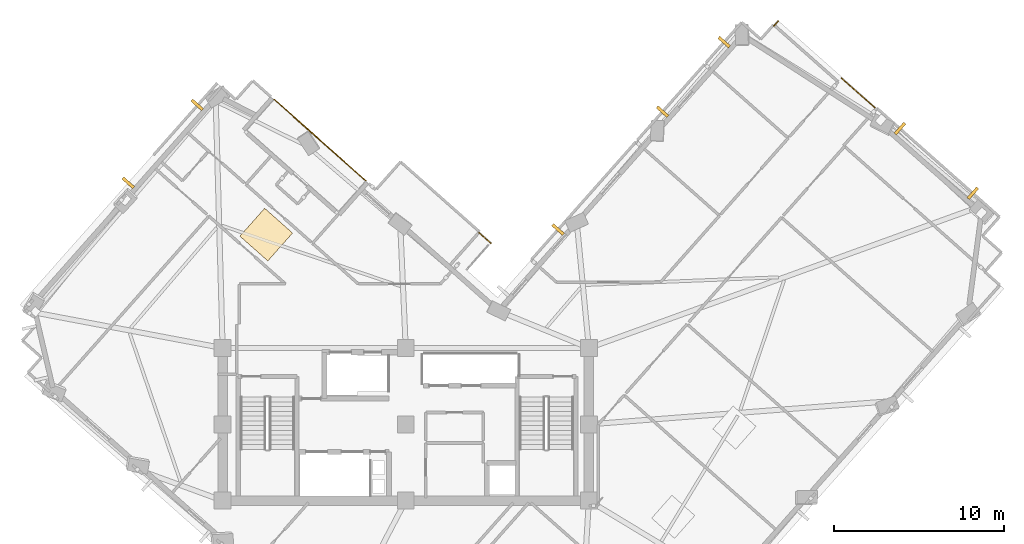
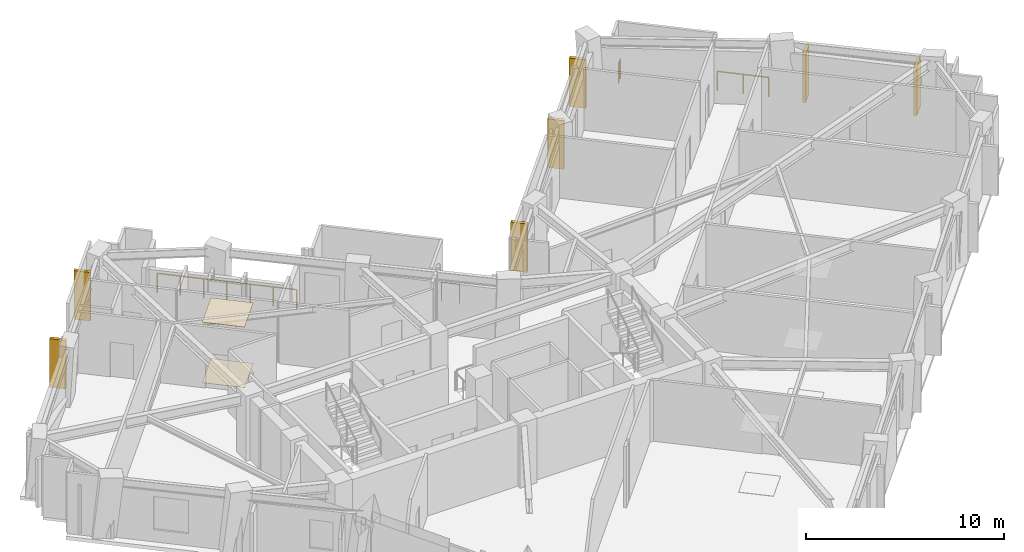
# One storey, part 13 of 13: 7 shading devices, 4 railings, 2 coverings.
"""IFC4 building model written with IfcOpenShell, lengths in metres."""

from ifc_helpers import new_model, si_unit, direction, frame, origin, origin_2d, place, context, subcontext, project, spatial, rectangle, circle, extrude, material, layer, layer_set, type_object, element, save


model = new_model("IFC4")

# Units and contexts
model_context = context("Model", 3, precision=1e-05, world=origin(), true_north=direction((0.0, 1.0)))
body_context = subcontext(model_context, "Body", "Model", "MODEL_VIEW")
ifc_project = project(units=[si_unit("LENGTHUNIT", "METRE"), si_unit("AREAUNIT", "SQUARE_METRE"), si_unit("VOLUMEUNIT", "CUBIC_METRE"), si_unit("PLANEANGLEUNIT", "RADIAN"), si_unit("MASSUNIT", "GRAM", prefix="KILO")], contexts=[model_context])

# Site, building, storey
site_placement = place(None, origin())
site = spatial("IfcSite", under=ifc_project, at=site_placement, CompositionType="ELEMENT")
building_placement = place(site_placement, origin())
building = spatial("IfcBuilding", under=site, at=building_placement, Name="Gaonmaruhae Medical Tower", CompositionType="ELEMENT")
storey_placement = place(building_placement, frame((0.0, 0.0, 231.199951171875)))
storey = spatial("IfcBuildingStorey", under=building, at=storey_placement, Name="L55", CompositionType="ELEMENT", Elevation=231.199951171875)

# Coverings
ifc_material_1 = material(Name="Acoustic mineral ceiling tile", Category="finish")
ifc_layer_1 = layer(ifc_material_1, 0.02490234375)
ifc_layer_set_1 = layer_set([ifc_layer_1], Name="Acoustic mineral ceiling tile")
covering_type_1 = type_object("IfcCoveringType", Name="CLG-01 Antimicrobial Acoustic Mineral Ceiling", PredefinedType="CEILING", material=ifc_layer_set_1)
covering_1_placement = place(storey_placement, frame((16.572021484375, 23.489501953125, 3.735107421875), z_axis=(0.0, 0.0, 1.0), x_axis=(0.66327338299, 0.748377190605, 0.0)))
element("IfcCovering", 1, at=covering_1_placement, inside=storey, type_object=covering_type_1, Name="L55 Clinical Corridor Acoustic Ceiling", PredefinedType="CEILING", context=body_context, shape_type="SweptSolid", body=[
    extrude(rectangle(XDim=2.199951171875, YDim=2.199951171875, at=origin_2d()), origin(), (0.0, 0.0, 1.0), 0.02490234375),
])
ifc_material_2 = material(Name="Seamless clinical vinyl flooring", Category="finish")
ifc_layer_2 = layer(ifc_material_2, 0.014892578125)
ifc_layer_set_2 = layer_set([ifc_layer_2], Name="Seamless clinical vinyl flooring")
covering_type_2 = type_object("IfcCoveringType", Name="FLR-01 Seamless Clinical Antistatic Vinyl Flooring", PredefinedType="FLOORING", material=ifc_layer_set_2)
covering_2_placement = place(storey_placement, frame((16.572021484375, 23.489501953125, 0.00048828125), z_axis=(0.0, 0.0, 1.0), x_axis=(0.66327338299, 0.748377190605, 0.0)))
element("IfcCovering", 2, at=covering_2_placement, inside=storey, type_object=covering_type_2, Name="L55 Clinical Corridor Vinyl Flooring", PredefinedType="FLOORING", context=body_context, shape_type="SweptSolid", body=[
    extrude(rectangle(XDim=2.199951171875, YDim=2.199951171875, at=origin_2d()), origin(), (0.0, 0.0, 1.0), 0.014892578125),
])

# Railings
ifc_material_3 = material(Name="Stainless steel 316L and laminated safety glass", Category="steel")
ifc_layer_3 = layer(ifc_material_3, 0.080078125)
ifc_layer_set_3 = layer_set([ifc_layer_3], Name="Stainless steel 316L and laminated safety glass")
railing_type = type_object("IfcRailingType", Name="GD-120 Outdoor Terrace Safety Glass & Steel Balustrade", PredefinedType="BALUSTRADE", material=ifc_layer_set_3)
railing_1_placement = place(storey_placement, frame((22.435791015625, 26.67724609375, 0.0)))
element("IfcRailing", 3, at=railing_1_placement, inside=storey, type_object=railing_type, Name="L55 Terrace Safety Guard RL-SLB-L55-TER-02", PredefinedType="BALUSTRADE", context=body_context, shape_type="SweptSolid", body=[
    extrude(circle(Radius=0.02392578125, at=origin_2d()), frame((0.0, 0.0, 1.17578125), z_axis=(-0.748381367534, 0.663268670094, 0.0), x_axis=(-0.663268670094, -0.748381367534, 0.0)), (0.0, 0.0, 1.0), 7.19970703125),
    extrude(circle(Radius=0.02099609375, at=origin_2d()), origin(), (0.0, 0.0, 1.0), 1.15185546875),
    extrude(circle(Radius=0.02099609375, at=origin_2d()), frame((-0.89794921875, 0.7958984375, 0.0)), (0.0, 0.0, 1.0), 1.15185546875),
    extrude(circle(Radius=0.02099609375, at=origin_2d()), frame((-1.796142578125, 1.591796875, 0.0)), (0.0, 0.0, 1.0), 1.15185546875),
    extrude(circle(Radius=0.02099609375, at=origin_2d()), frame((-2.694091796875, 2.3876953125, 0.0)), (0.0, 0.0, 1.0), 1.15185546875),
    extrude(circle(Radius=0.02099609375, at=origin_2d()), frame((-3.592041015625, 3.18359375, 0.0)), (0.0, 0.0, 1.0), 1.15185546875),
    extrude(circle(Radius=0.02099609375, at=origin_2d()), frame((-4.490234375, 3.9794921875, 0.0)), (0.0, 0.0, 1.0), 1.15185546875),
    extrude(circle(Radius=0.02099609375, at=origin_2d()), frame((-5.38818359375, 4.775390625, 0.0)), (0.0, 0.0, 1.0), 1.15185546875),
])
railing_2_placement = place(storey_placement, frame((46.5078125, 35.790771484375, 0.0)))
element("IfcRailing", 4, at=railing_2_placement, inside=storey, type_object=railing_type, Name="L55 Perimeter Slab Edge Safety Balustrade 01", PredefinedType="BALUSTRADE", context=body_context, shape_type="SweptSolid", body=[
    extrude(circle(Radius=0.02392578125, at=origin_2d()), frame((0.0, 0.0, 1.17578125), z_axis=(0.663323309576, 0.748332938586, 0.0), x_axis=(-0.748332938586, 0.663323309576, 0.0)), (0.0, 0.0, 1.0), 0.3935546875),
    extrude(circle(Radius=0.02099609375, at=origin_2d()), origin(), (0.0, 0.0, 1.0), 1.15185546875),
    extrude(circle(Radius=0.02099609375, at=origin_2d()), frame((0.260986328125, 0.29443359375, 0.0)), (0.0, 0.0, 1.0), 1.15185546875),
])
railing_3_placement = place(storey_placement, frame((50.498779296875, 32.71240234375, 0.0)))
element("IfcRailing", 5, at=railing_3_placement, inside=storey, type_object=railing_type, Name="L55 Perimeter Slab Edge Safety Balustrade 02", PredefinedType="BALUSTRADE", context=body_context, shape_type="SweptSolid", body=[
    extrude(circle(Radius=0.02392578125, at=origin_2d()), frame((0.0, 0.0, 1.17578125), z_axis=(0.748411134455, -0.66323508187, 0.0), x_axis=(0.66323508187, 0.748411134455, 0.0)), (0.0, 0.0, 1.0), 2.659912109375),
    extrude(circle(Radius=0.02099609375, at=origin_2d()), origin(), (0.0, 0.0, 1.0), 1.15185546875),
    extrude(circle(Radius=0.02099609375, at=origin_2d()), frame((0.995361328125, -0.882080078125, 0.0)), (0.0, 0.0, 1.0), 1.15185546875),
    extrude(circle(Radius=0.02099609375, at=origin_2d()), frame((1.99072265625, -1.76416015625, 0.0)), (0.0, 0.0, 1.0), 1.15185546875),
])
railing_4_placement = place(storey_placement, frame((29.118896484375, 23.6005859375, 0.0)))
element("IfcRailing", 6, at=railing_4_placement, inside=storey, type_object=railing_type, Name="L55 Perimeter Slab Edge Safety Balustrade 08", PredefinedType="BALUSTRADE", context=body_context, shape_type="SweptSolid", body=[
    extrude(circle(Radius=0.02392578125, at=origin_2d()), frame((0.0, 0.0, 1.17578125), z_axis=(0.74825591168, -0.663410197869, 0.0), x_axis=(0.663410197869, 0.74825591168, 0.0)), (0.0, 0.0, 1.0), 0.93798828125),
    extrude(circle(Radius=0.02099609375, at=origin_2d()), origin(), (0.0, 0.0, 1.0), 1.15185546875),
    extrude(circle(Radius=0.02099609375, at=origin_2d()), frame((0.701904296875, -0.622314453125, 0.0)), (0.0, 0.0, 1.0), 1.15185546875),
])

# Shading devices
ifc_material_4 = material(Name="Pigmented coral precast concrete C45/55", Category="concrete")
shading_device_type = type_object("IfcShadingDeviceType", Name="SD-FIN1 Tower Vertical Coral Precast Shading Fin", PredefinedType="USERDEFINED", material=ifc_material_4)
for number, where, z_axis, x_axis, name in (
    (7, (53.94677734375, 29.743408203125, 0.132568359375), (0.0, 0.0, 1.0), (0.748377190605, -0.66327338299, 0.0), "L55 Vertical Coral Precast Shading Fin E01"),
    (8, (58.247314453125, 25.931884765625, 0.132568359375), (0.0, 0.0, 1.0), (0.748377190605, -0.66327338299, 0.0), "L55 Vertical Coral Precast Shading Fin E01B"),
    (9, (39.94189453125, 30.741943359375, 0.132568359375), (0.0, 0.0, 1.0), (0.663286444535, 0.748365614186, 0.0), "L55 Vertical Coral Precast Shading Fin E03"),
    (10, (43.576416015625, 34.8427734375, 0.132568359375), (0.0, 0.0, 1.0), (0.663286444535, 0.748365614186, 0.0), "L55 Vertical Coral Precast Shading Fin E03B"),
    (11, (33.7802734375, 23.789794921875, 0.132568359375), (0.0, 0.0, 1.0), (0.66327338299, 0.748377190605, 0.0), "L55 Vertical Coral Precast Shading Fin EN02B"),
    (12, (8.4306640625, 26.547119140625, 0.132568359375), (0.0, 0.0, 1.0), (0.66327338299, 0.748377190605, 0.0), "L55 Vertical Coral Precast Shading Fin N01"),
    (13, (12.499267578125, 31.137939453125, 0.132568359375), (0.0, 0.0, 1.0), (0.66327338299, 0.748377190605, 0.0), "L55 Vertical Coral Precast Shading Fin N01B"),
):
    element("IfcShadingDevice", number, at=place(storey_placement, frame(where, z_axis=z_axis, x_axis=x_axis)), inside=storey, type_object=shading_device_type, Name=name, ObjectType="FIN", PredefinedType="USERDEFINED", context=body_context, shape_type="SweptSolid", body=[
        extrude(rectangle(XDim=0.179931640625, YDim=0.85009765625, at=origin_2d()), origin(), (0.0, 0.0, 1.0), 3.0),
    ])

save(model, "model.ifc")
